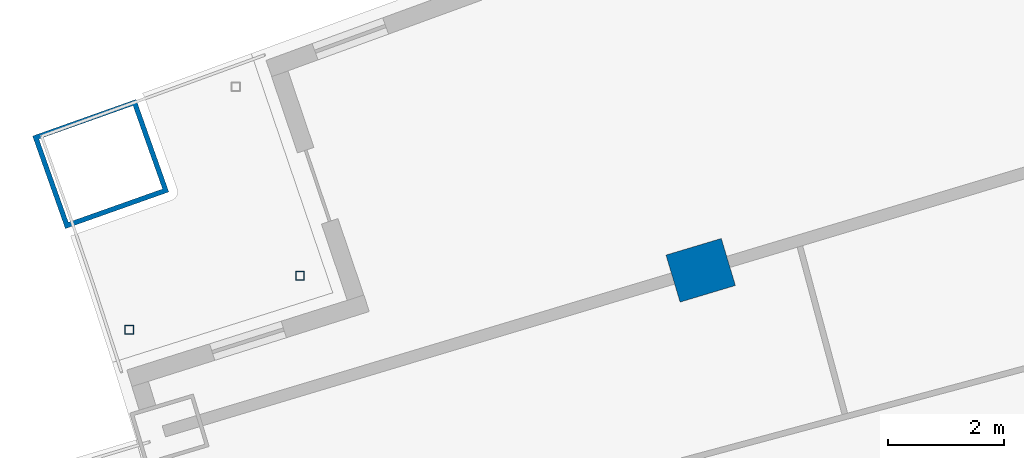
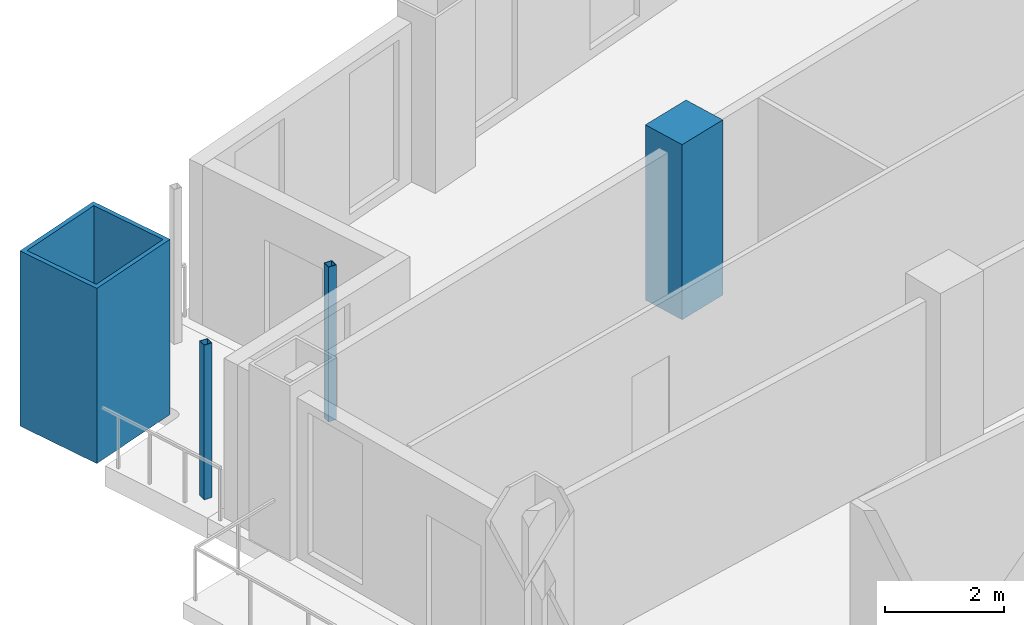
# One storey, part 7 of 25: 4 columns.
"""IFC4 building model written with IfcOpenShell, lengths in metres."""

from ifc_helpers import new_model, si_unit, direction, frame, origin, origin_2d, place, context, subcontext, project, spatial, rectangle, hollow_rectangle, extrude, material, material_profile, profile_set, type_object, element, save


model = new_model("IFC4")

# Units and contexts
model_context = context("Model", 3, precision=1e-05, world=origin(), true_north=direction((0.0, 1.0)))
body_context = subcontext(model_context, "Body", "Model", "MODEL_VIEW")
ifc_project = project(units=[si_unit("LENGTHUNIT", "METRE"), si_unit("AREAUNIT", "SQUARE_METRE"), si_unit("VOLUMEUNIT", "CUBIC_METRE"), si_unit("PLANEANGLEUNIT", "RADIAN"), si_unit("MASSUNIT", "GRAM", prefix="KILO")], contexts=[model_context])

# Site, building, storey
site_placement = place(None, origin())
site = spatial("IfcSite", under=ifc_project, at=site_placement, CompositionType="ELEMENT")
building_placement = place(site_placement, origin())
building = spatial("IfcBuilding", under=site, at=building_placement, Name="Alderwake Tower", CompositionType="ELEMENT")
storey_placement = place(building_placement, frame((0.0, 0.0, 107.60009765625)))
storey = spatial("IfcBuildingStorey", under=building, at=storey_placement, Name="L26", CompositionType="ELEMENT", Elevation=107.60009765625)

# Columns
ifc_material_1 = material(Name="Concrete C70/85", Category="concrete")
ifc_material_profile_1 = material_profile(ifc_material_1, rectangle(XDim=0.85009765625, YDim=1.0, at=origin_2d()), Name="RC 1000X850")
ifc_profile_set_1 = profile_set([ifc_material_profile_1], Name="Concrete C70/85")
column_type_1 = type_object("IfcColumnType", Name="Interior column Z2", PredefinedType="COLUMN", material=ifc_profile_set_1)
column_1_placement = place(storey_placement, frame((21.714599609375, 91.53759765625, 0.0), z_axis=(0.0, 0.0, 1.0), x_axis=(-0.287549418125, 0.957765802342, 0.0)))
element("IfcColumn", 1, at=column_1_placement, inside=storey, type_object=column_type_1, Name="Column R12-C1", PredefinedType="COLUMN", context=body_context, shape_type="SweptSolid", body=[
    extrude(rectangle(XDim=0.85009765625, YDim=1.0, at=origin_2d()), origin(), (0.0, 0.0, 1.0), 3.599853515625),
])
ifc_material_2 = material(Name="Steel ASTM A500 Grade C", Category="steel")
ifc_material_profile_2 = material_profile(ifc_material_2, hollow_rectangle(XDim=0.15234375, YDim=0.15234375, WallThickness=0.0087890625, at=origin_2d()), Name="HSS6X6X3/8")
ifc_profile_set_2 = profile_set([ifc_material_profile_2], Name="Steel ASTM A500 Grade C")
column_type_2 = type_object("IfcColumnType", Name="Light post HSS6X6X3/8", PredefinedType="COLUMN", material=ifc_profile_set_2)
for number, where, z_axis, x_axis, name in (
    (2, (11.82568359375, 90.507080078125, 0.0), (0.0, 0.0, 1.0), (1.0, 0.0, 0.0), "Terrace post RN1"),
    (3, (14.781494140625, 91.441650390625, 0.0), (0.0, 0.0, 1.0), (1.0, 0.0, 0.0), "Terrace post RN3"),
):
    element("IfcColumn", number, at=place(storey_placement, frame(where, z_axis=z_axis, x_axis=x_axis)), inside=storey, type_object=column_type_2, Name=name, PredefinedType="COLUMN", context=body_context, shape_type="SweptSolid", body=[
        extrude(hollow_rectangle(XDim=0.15234375, YDim=0.15234375, WallThickness=0.0087890625, at=origin_2d()), origin(), (0.0, 0.0, 1.0), 3.179931640625),
    ])
ifc_material_3 = material(Name="Steel ASTM A572 Grade 50 concrete filled C70/85", Category="concrete")
ifc_material_profile_3 = material_profile(ifc_material_3, hollow_rectangle(XDim=1.699951171875, YDim=1.89990234375, WallThickness=0.0849609375, at=origin_2d()), Name="BOX 1900X1700X85")
ifc_profile_set_3 = profile_set([ifc_material_profile_3], Name="Steel ASTM A572 Grade 50 concrete filled C70/85")
column_type_3 = type_object("IfcColumnType", Name="Mega column Z2", PredefinedType="COLUMN", material=ifc_profile_set_3)
column_2_placement = place(storey_placement, frame((11.330810546875, 93.377197265625, 0.0), z_axis=(0.0, 0.0, 1.0), x_axis=(-0.334130947791, 0.942526662609, 0.0)))
element("IfcColumn", 4, at=column_2_placement, inside=storey, type_object=column_type_3, Name="Column R13-C0", PredefinedType="COLUMN", context=body_context, shape_type="SweptSolid", body=[
    extrude(hollow_rectangle(XDim=1.699951171875, YDim=1.89990234375, WallThickness=0.0849609375, at=origin_2d()), origin(), (0.0, 0.0, 1.0), 3.599853515625),
])

save(model, "model.ifc")
